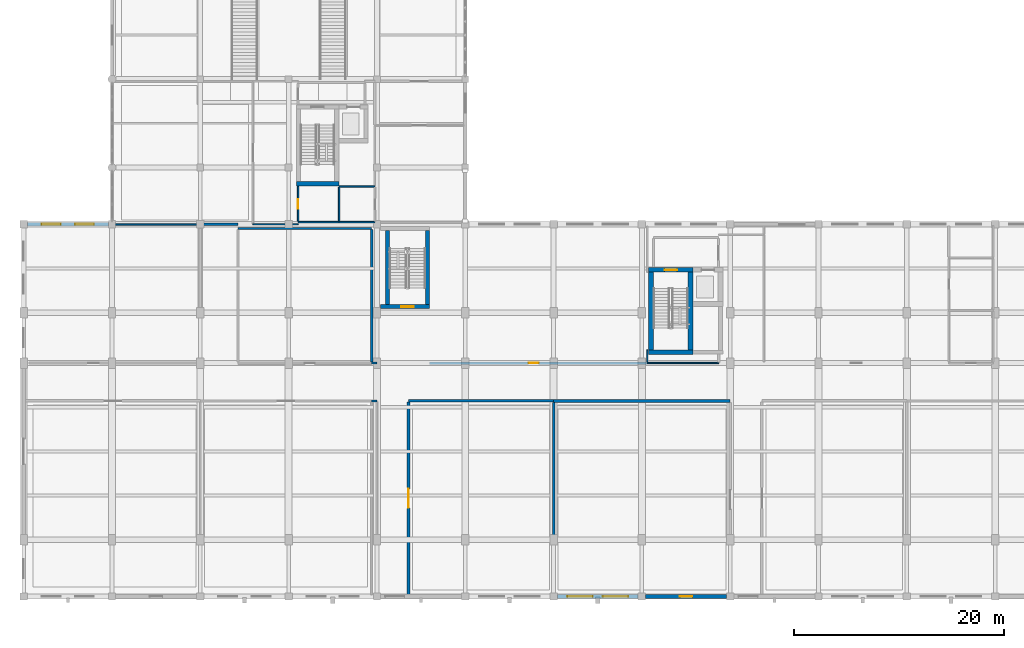
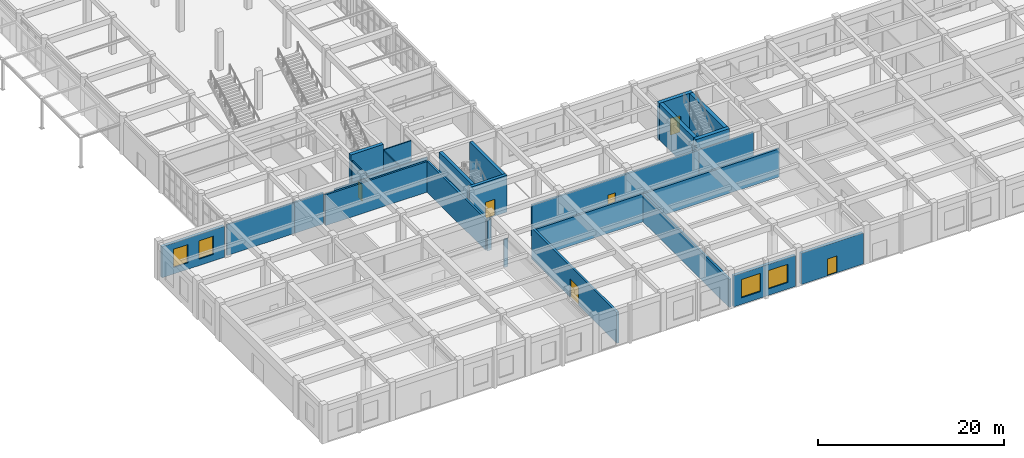
# One storey, part 56 of 80: 30 walls, 6 doors, 4 windows, 10 openings.
"""IFC4 building model written with IfcOpenShell, lengths in metres."""

from ifc_helpers import new_model, si_unit, direction, frame, frame_2d, origin, place, context, subcontext, project, spatial, rectangle, extrude, material, layer, layer_set, type_object, element, fill, save


model = new_model("IFC4")

# Units and contexts
model_context = context("Model", 3, precision=1e-05, world=origin(), true_north=direction((0.0, 1.0)))
body_context = subcontext(model_context, "Body", "Model", "MODEL_VIEW")
ifc_project = project(units=[si_unit("LENGTHUNIT", "METRE"), si_unit("AREAUNIT", "SQUARE_METRE"), si_unit("VOLUMEUNIT", "CUBIC_METRE"), si_unit("PLANEANGLEUNIT", "RADIAN"), si_unit("MASSUNIT", "GRAM", prefix="KILO")], contexts=[model_context])

# Site, building, storey
site_placement = place(None, origin())
site = spatial("IfcSite", under=ifc_project, at=site_placement, CompositionType="ELEMENT")
building_placement = place(site_placement, origin())
building = spatial("IfcBuilding", under=site, at=building_placement, Name="Krzemoval Escarpment Law Courts", CompositionType="ELEMENT")
storey_placement = place(building_placement, origin())
storey = spatial("IfcBuildingStorey", under=building, at=storey_placement, Name="L00", CompositionType="ELEMENT", Elevation=0.0)

# Wall, opening, door
ifc_material_1 = material(Name="Precast concrete C40/50", Category="concrete")
ifc_layer_1 = layer(ifc_material_1, 0.360107421875)
ifc_layer_set_1 = layer_set([ifc_layer_1], Name="Precast concrete C40/50")
wall_type_1 = type_object("IfcWallType", Name="WL-EXT-360", PredefinedType="SOLIDWALL", material=ifc_layer_set_1)
wall_1_placement = place(storey_placement, frame((66.85009765625, 0.0, 0.0), z_axis=(0.0, 0.0, 1.0), x_axis=(-1.0, 0.0, 0.0)))
wall_1 = element("IfcWall", 1, at=wall_1_placement, inside=storey, type_object=wall_type_1, Name="Exterior Wall EW-L00-0139", PredefinedType="SOLIDWALL", context=body_context, shape_type="SweptSolid", body=[
    extrude(rectangle(XDim=7.7001953125, YDim=0.360107421875, at=frame_2d((3.85009765625, 0.0))), origin(), (0.0, 0.0, 1.0), 4.070068359375),
])
opening_1_placement = place(wall_1_placement, frame((3.25, 0.0, 0.0)))
opening_1 = element("IfcOpeningElement", 2, at=opening_1_placement, cuts=wall_1, Name="Opening ED-L00-15", PredefinedType="OPENING", context=body_context, shape_type="SweptSolid", body=[
    extrude(rectangle(XDim=1.199951171875, YDim=2.199951171875, at=frame_2d((0.60009765625, 1.10009765625))), frame((0.0, 0.19505, 0.0), z_axis=(0.0, -1.0, 0.0), x_axis=(1.0, 0.0, 0.0)), (0.0, 0.0, 1.0), 0.39011),
])
ifc_material_2 = material(Name="Galvanised Steel S355", Category="steel")
door_type_1 = type_object("IfcDoorType", Name="DR-EXT-1200x2200", OperationType="SINGLE_SWING_LEFT", PredefinedType="DOOR", material=ifc_material_2)
door_1_placement = place(opening_1_placement, origin())
door_1 = element("IfcDoor", 3, at=door_1_placement, inside=storey, type_object=door_type_1, Name="Ground Entrance Door ED-L00-15", OperationType="SINGLE_SWING_LEFT", OverallHeight=2.199951171875, OverallWidth=1.199951171875, PredefinedType="DOOR", context=body_context, shape_type="SweptSolid", body=[
    extrude(rectangle(XDim=1.199951171875, YDim=2.199951171875, at=frame_2d((0.60009765625, 1.10009765625))), frame((0.0, 0.02490234375, 0.0), z_axis=(0.0, -1.0, 0.0), x_axis=(1.0, 0.0, 0.0)), (0.0, 0.0, 1.0), 0.050048828125),
])
fill(opening_1, door_1)

# Wall, openings, windows
wall_2_placement = place(storey_placement, frame((58.449951171875, 0.0, 0.0), z_axis=(0.0, 0.0, 1.0), x_axis=(-1.0, 0.0, 0.0)))
wall_2 = element("IfcWall", 4, at=wall_2_placement, inside=storey, type_object=wall_type_1, Name="Exterior Wall EW-L00-0140", PredefinedType="SOLIDWALL", context=body_context, shape_type="SweptSolid", body=[
    extrude(rectangle(XDim=7.699951171875, YDim=0.360107421875, at=frame_2d((3.85009765625, 0.0))), origin(), (0.0, 0.0, 1.0), 4.070068359375),
])
opening_2_placement = place(wall_2_placement, frame((0.967041015625, 0.0, 0.85009765625)))
opening_2 = element("IfcOpeningElement", 5, at=opening_2_placement, cuts=wall_2, Name="Opening WN-L00-0094", PredefinedType="OPENING", context=body_context, shape_type="SweptSolid", body=[
    extrude(rectangle(XDim=2.39990234375, YDim=2.39990234375, at=frame_2d((1.199951171875, 1.199951171875))), frame((0.0, 0.19505, 0.0), z_axis=(0.0, -1.0, 0.0), x_axis=(1.0, 0.0, 0.0)), (0.0, 0.0, 1.0), 0.39011),
])
opening_3_placement = place(wall_2_placement, frame((4.3330078125, 0.0, 0.85009765625)))
opening_3 = element("IfcOpeningElement", 6, at=opening_3_placement, cuts=wall_2, Name="Opening WN-L00-0095", PredefinedType="OPENING", context=body_context, shape_type="SweptSolid", body=[
    extrude(rectangle(XDim=2.39990234375, YDim=2.39990234375, at=frame_2d((1.199951171875, 1.199951171875))), frame((0.0, 0.19505, 0.0), z_axis=(0.0, -1.0, 0.0), x_axis=(1.0, 0.0, 0.0)), (0.0, 0.0, 1.0), 0.39011),
])
ifc_material_3 = material(Name="Thermally Broken Aluminium Frame with Triple Low-E Acoustic Glass", Category="aluminium")
window_type_1 = type_object("IfcWindowType", Name="WN-2400x2400", PartitioningType="SINGLE_PANEL", PredefinedType="WINDOW", material=ifc_material_3)
window_1_placement = place(opening_2_placement, origin())
window_1 = element("IfcWindow", 7, at=window_1_placement, inside=storey, type_object=window_type_1, Name="Facade Window WN-L00-0094", OverallHeight=2.39990234375, OverallWidth=2.39990234375, PartitioningType="SINGLE_PANEL", PredefinedType="WINDOW", context=body_context, shape_type="SweptSolid", body=[
    extrude(rectangle(XDim=2.39990234375, YDim=2.39990234375, at=frame_2d((1.199951171875, 1.199951171875))), frame((0.0, 0.030029296875, 0.0), z_axis=(0.0, -1.0, 0.0), x_axis=(1.0, 0.0, 0.0)), (0.0, 0.0, 1.0), 0.06005859375),
])
fill(opening_2, window_1)
window_2_placement = place(opening_3_placement, origin())
window_2 = element("IfcWindow", 8, at=window_2_placement, inside=storey, type_object=window_type_1, Name="Facade Window WN-L00-0095", OverallHeight=2.39990234375, OverallWidth=2.39990234375, PartitioningType="SINGLE_PANEL", PredefinedType="WINDOW", context=body_context, shape_type="SweptSolid", body=[
    extrude(rectangle(XDim=2.39990234375, YDim=2.39990234375, at=frame_2d((1.199951171875, 1.199951171875))), frame((0.0, 0.030029296875, 0.0), z_axis=(0.0, -1.0, 0.0), x_axis=(1.0, 0.0, 0.0)), (0.0, 0.0, 1.0), 0.06005859375),
])
fill(opening_3, window_2)

wall_3_placement = place(storey_placement, frame((0.35009765625, 35.39990234375, 0.0), z_axis=(0.0, 0.0, 1.0), x_axis=(1.0, 0.0, 0.0)))
wall_3 = element("IfcWall", 9, at=wall_3_placement, inside=storey, type_object=wall_type_1, Name="Exterior Wall EW-L00-0151", PredefinedType="SOLIDWALL", context=body_context, shape_type="SweptSolid", body=[
    extrude(rectangle(XDim=7.699951171875, YDim=0.360107421875, at=frame_2d((3.85009765625, 0.0))), origin(), (0.0, 0.0, 1.0), 4.070068359375),
])
opening_4_placement = place(wall_3_placement, frame((1.366943359375, 0.0, 0.85009765625)))
opening_4 = element("IfcOpeningElement", 10, at=opening_4_placement, cuts=wall_3, Name="Opening WN-L00-0108", PredefinedType="OPENING", context=body_context, shape_type="SweptSolid", body=[
    extrude(rectangle(XDim=1.800048828125, YDim=2.39990234375, at=frame_2d((0.89990234375, 1.199951171875))), frame((0.0, 0.19505, 0.0), z_axis=(0.0, -1.0, 0.0), x_axis=(1.0, 0.0, 0.0)), (0.0, 0.0, 1.0), 0.39011),
])
opening_5_placement = place(wall_3_placement, frame((4.532958984375, 0.0, 0.85009765625)))
opening_5 = element("IfcOpeningElement", 11, at=opening_5_placement, cuts=wall_3, Name="Opening WN-L00-0109", PredefinedType="OPENING", context=body_context, shape_type="SweptSolid", body=[
    extrude(rectangle(XDim=1.800048828125, YDim=2.39990234375, at=frame_2d((0.89990234375, 1.199951171875))), frame((0.0, 0.19505, 0.0), z_axis=(0.0, -1.0, 0.0), x_axis=(1.0, 0.0, 0.0)), (0.0, 0.0, 1.0), 0.39011),
])
ifc_material_4 = material(Name="Thermally Broken Aluminium Frame with Triple Low-E Acoustic Glass", Category="aluminium")
window_type_2 = type_object("IfcWindowType", Name="WN-1800x2400", PartitioningType="SINGLE_PANEL", PredefinedType="WINDOW", material=ifc_material_4)
window_3_placement = place(opening_4_placement, origin())
window_3 = element("IfcWindow", 12, at=window_3_placement, inside=storey, type_object=window_type_2, Name="Facade Window WN-L00-0108", OverallHeight=2.39990234375, OverallWidth=1.800048828125, PartitioningType="SINGLE_PANEL", PredefinedType="WINDOW", context=body_context, shape_type="SweptSolid", body=[
    extrude(rectangle(XDim=1.800048828125, YDim=2.39990234375, at=frame_2d((0.89990234375, 1.199951171875))), frame((0.0, 0.030029296875, 0.0), z_axis=(0.0, -1.0, 0.0), x_axis=(1.0, 0.0, 0.0)), (0.0, 0.0, 1.0), 0.06005859375),
])
fill(opening_4, window_3)
window_4_placement = place(opening_5_placement, origin())
window_4 = element("IfcWindow", 13, at=window_4_placement, inside=storey, type_object=window_type_2, Name="Facade Window WN-L00-0109", OverallHeight=2.39990234375, OverallWidth=1.800048828125, PartitioningType="SINGLE_PANEL", PredefinedType="WINDOW", context=body_context, shape_type="SweptSolid", body=[
    extrude(rectangle(XDim=1.800048828125, YDim=2.39990234375, at=frame_2d((0.89990234375, 1.199951171875))), frame((0.0, 0.030029296875, 0.0), z_axis=(0.0, -1.0, 0.0), x_axis=(1.0, 0.0, 0.0)), (0.0, 0.0, 1.0), 0.06005859375),
])
fill(opening_5, window_4)

# Walls
ifc_material_5 = material(Name="Light Internal Subdivision Partition", Category="gypsum")
ifc_layer_2 = layer(ifc_material_5, 0.114990234375)
ifc_layer_set_2 = layer_set([ifc_layer_2], Name="Light Internal Subdivision Partition")
wall_type_2 = type_object("IfcWallType", Name="WL-PRT-115", PredefinedType="PARTITIONING", material=ifc_layer_set_2)
wall_4_placement = place(storey_placement, frame((59.300048828125, 22.199951171875, 0.0), z_axis=(0.0, 0.0, 1.0), x_axis=(1.0, 0.0, 0.0)))
element("IfcWall", 14, at=wall_4_placement, inside=storey, type_object=wall_type_2, Name="Interior Partition PW-L00-0094", PredefinedType="PARTITIONING", context=body_context, shape_type="SweptSolid", body=[
    extrude(rectangle(XDim=6.800048828125, YDim=0.114990234375, at=frame_2d((3.39990234375, 0.0))), origin(), (0.0, 0.0, 1.0), 4.070068359375),
])
ifc_material_6 = material(Name="Standard Metal-Stud Gypsum Partition", Category="gypsum")
ifc_layer_3 = layer(ifc_material_6, 0.125)
ifc_layer_set_3 = layer_set([ifc_layer_3], Name="Standard Metal-Stud Gypsum Partition")
wall_type_3 = type_object("IfcWallType", Name="WL-PRT-125", PredefinedType="PARTITIONING", material=ifc_layer_set_3)
wall_5_placement = place(storey_placement, frame((21.800048828125, 35.39990234375, 0.0), z_axis=(0.0, 0.0, 1.0), x_axis=(1.0, 0.0, 0.0)))
element("IfcWall", 15, at=wall_5_placement, inside=storey, type_object=wall_type_3, Name="Interior Partition PW-L00-0113", PredefinedType="PARTITIONING", context=body_context, shape_type="SweptSolid", body=[
    extrude(rectangle(XDim=4.300048828125, YDim=0.125, at=frame_2d((2.14990234375, 0.0))), origin(), (0.0, 0.0, 1.0), 4.070068359375),
])
wall_6_placement = place(storey_placement, frame((59.300048828125, 22.31689453125, 0.0), z_axis=(0.0, 0.0, 1.0), x_axis=(0.0, 1.0, 0.0)))
element("IfcWall", 16, at=wall_6_placement, inside=storey, type_object=wall_type_3, Name="Interior Partition PW-L00-0173", PredefinedType="PARTITIONING", context=body_context, shape_type="SweptSolid", body=[
    extrude(rectangle(XDim=1.135009765625, YDim=0.125, at=frame_2d((0.5673828125, 0.0))), origin(), (0.0, 0.0, 1.0), 4.070068359375),
])
ifc_material_7 = material(Name="Sanitary Moisture-Resistant Partition", Category="gypsum")
ifc_layer_4 = layer(ifc_material_7, 0.139892578125)
ifc_layer_set_4 = layer_set([ifc_layer_4], Name="Sanitary Moisture-Resistant Partition")
wall_type_4 = type_object("IfcWallType", Name="WL-PRT-140", PredefinedType="PARTITIONING", material=ifc_layer_set_4)
wall_7_placement = place(storey_placement, frame((26.10009765625, 35.60009765625, 0.0), z_axis=(0.0, 0.0, 1.0), x_axis=(1.0, 0.0, 0.0)))
element("IfcWall", 17, at=wall_7_placement, inside=storey, type_object=wall_type_4, Name="Interior Partition PW-L00-0116", PredefinedType="PARTITIONING", context=body_context, shape_type="SweptSolid", body=[
    extrude(rectangle(XDim=3.89990234375, YDim=0.139892578125, at=frame_2d((1.949951171875, 0.0))), origin(), (0.0, 0.0, 1.0), 4.070068359375),
])
wall_8_placement = place(storey_placement, frame((30.0, 35.60009765625, 0.0), z_axis=(0.0, 0.0, 1.0), x_axis=(1.0, 0.0, 0.0)))
element("IfcWall", 18, at=wall_8_placement, inside=storey, type_object=wall_type_4, Name="Interior Partition PW-L00-0117", PredefinedType="PARTITIONING", context=body_context, shape_type="SweptSolid", body=[
    extrude(rectangle(XDim=3.39990234375, YDim=0.139892578125, at=frame_2d((1.699951171875, 0.0))), origin(), (0.0, 0.0, 1.0), 4.070068359375),
])
wall_9_placement = place(storey_placement, frame((30.0, 39.0, 0.0), z_axis=(0.0, 0.0, 1.0), x_axis=(1.0, 0.0, 0.0)))
element("IfcWall", 19, at=wall_9_placement, inside=storey, type_object=wall_type_4, Name="Interior Partition PW-L00-0119", PredefinedType="PARTITIONING", context=body_context, shape_type="SweptSolid", body=[
    extrude(rectangle(XDim=3.39990234375, YDim=0.139892578125, at=frame_2d((1.699951171875, 0.0))), origin(), (0.0, 0.0, 1.0), 4.169921875),
])

# Wall, opening, door
wall_10_placement = place(storey_placement, frame((26.10009765625, 35.672119140625, 0.0), z_axis=(0.0, 0.0, 1.0), x_axis=(0.0, 1.0, 0.0)))
wall_10 = element("IfcWall", 20, at=wall_10_placement, inside=storey, type_object=wall_type_4, Name="Interior Partition PW-L00-0160", PredefinedType="PARTITIONING", context=body_context, shape_type="SweptSolid", body=[
    extrude(rectangle(XDim=3.327880859375, YDim=0.139892578125, at=frame_2d((1.6640625, 0.0))), origin(), (0.0, 0.0, 1.0), 4.070068359375),
])
opening_6_placement = place(wall_10_placement, frame((1.214111328125, 0.0, 0.0)))
opening_6 = element("IfcOpeningElement", 21, at=opening_6_placement, cuts=wall_10, Name="Opening D-L00-0061", PredefinedType="OPENING", context=body_context, shape_type="SweptSolid", body=[
    extrude(rectangle(XDim=0.89990234375, YDim=2.10009765625, at=frame_2d((0.449951171875, 1.050048828125))), frame((0.0, 0.08495, 0.0), z_axis=(0.0, -1.0, 0.0), x_axis=(1.0, 0.0, 0.0)), (0.0, 0.0, 1.0), 0.16989),
])
ifc_material_8 = material(Name="Engineered Solid-Core Oak Acoustic Timber", Category="wood")
door_type_2 = type_object("IfcDoorType", Name="DR-INT-900x2100", OperationType="SINGLE_SWING_LEFT", PredefinedType="DOOR", material=ifc_material_8)
door_2_placement = place(opening_6_placement, origin())
door_2 = element("IfcDoor", 22, at=door_2_placement, inside=storey, type_object=door_type_2, Name="Room Door D-L00-0061", OperationType="SINGLE_SWING_RIGHT", OverallHeight=2.10009765625, OverallWidth=0.89990234375, PredefinedType="DOOR", context=body_context, shape_type="SweptSolid", body=[
    extrude(rectangle(XDim=0.89990234375, YDim=2.10009765625, at=frame_2d((0.449951171875, 1.050048828125))), frame((0.0, 0.02490234375, 0.0), z_axis=(0.0, -1.0, 0.0), x_axis=(1.0, 0.0, 0.0)), (0.0, 0.0, 1.0), 0.050048828125),
])
fill(opening_6, door_2)

# Walls
wall_11_placement = place(storey_placement, frame((30.0, 35.672119140625, 0.0), z_axis=(0.0, 0.0, 1.0), x_axis=(0.0, 1.0, 0.0)))
element("IfcWall", 23, at=wall_11_placement, inside=storey, type_object=wall_type_4, Name="Interior Partition PW-L00-0161", PredefinedType="PARTITIONING", context=body_context, shape_type="SweptSolid", body=[
    extrude(rectangle(XDim=3.255859375, YDim=0.139892578125, at=frame_2d((1.6279296875, 0.0))), origin(), (0.0, 0.0, 1.0), 4.070068359375),
])
ifc_material_9 = material(Name="Office Acoustic Partition Wall", Category="gypsum")
ifc_layer_5 = layer(ifc_material_9, 0.14990234375)
ifc_layer_set_5 = layer_set([ifc_layer_5], Name="Office Acoustic Partition Wall")
wall_type_5 = type_object("IfcWallType", Name="WL-PRT-150", PredefinedType="PARTITIONING", material=ifc_layer_set_5)
wall_12_placement = place(storey_placement, frame((8.425048828125, 35.39990234375, 0.0), z_axis=(0.0, 0.0, 1.0), x_axis=(1.0, 0.0, 0.0)))
element("IfcWall", 24, at=wall_12_placement, inside=storey, type_object=wall_type_5, Name="Interior Partition PW-L00-0112", PredefinedType="PARTITIONING", context=body_context, shape_type="SweptSolid", body=[
    extrude(rectangle(XDim=8.375, YDim=0.14990234375, at=frame_2d((4.1875, 0.0))), origin(), (0.0, 0.0, 1.0), 4.070068359375),
])
ifc_material_10 = material(Name="Jury Suite Partition Assembly", Category="gypsum")
ifc_layer_6 = layer(ifc_material_10, 0.159912109375)
ifc_layer_set_6 = layer_set([ifc_layer_6], Name="Jury Suite Partition Assembly")
wall_type_6 = type_object("IfcWallType", Name="WL-PRT-160", PredefinedType="PARTITIONING", material=ifc_layer_set_6)
wall_13_placement = place(storey_placement, frame((33.10009765625, 18.60009765625, 0.0), z_axis=(0.0, 0.0, 1.0), x_axis=(1.0, 0.0, 0.0)))
element("IfcWall", 25, at=wall_13_placement, inside=storey, type_object=wall_type_6, Name="Interior Partition PW-L00-0083", PredefinedType="PARTITIONING", context=body_context, shape_type="SweptSolid", body=[
    extrude(rectangle(XDim=0.5, YDim=0.159912109375, at=frame_2d((0.25, 0.0))), origin(), (0.0, 0.0, 1.0), 3.669921875),
])
ifc_material_11 = material(Name="Solid Calcium-Silicate Custody Blockwork Partition", Category="masonry")
ifc_layer_7 = layer(ifc_material_11, 0.219970703125)
ifc_layer_set_7 = layer_set([ifc_layer_7], Name="Solid Calcium-Silicate Custody Blockwork Partition")
wall_type_7 = type_object("IfcWallType", Name="WL-PRT-220", PredefinedType="PARTITIONING", material=ifc_layer_set_7)
wall_14_placement = place(storey_placement, frame((33.10009765625, 22.199951171875, 0.0), z_axis=(0.0, 0.0, 1.0), x_axis=(1.0, 0.0, 0.0)))
element("IfcWall", 26, at=wall_14_placement, inside=storey, type_object=wall_type_7, Name="Interior Partition PW-L00-0091", PredefinedType="PARTITIONING", context=body_context, shape_type="SweptSolid", body=[
    extrude(rectangle(XDim=0.5, YDim=0.219970703125, at=frame_2d((0.25, 0.0))), origin(), (0.0, 0.0, 1.0), 4.070068359375),
])
wall_15_placement = place(storey_placement, frame((20.39990234375, 35.0, 0.0), z_axis=(0.0, 0.0, 1.0), x_axis=(1.0, 0.0, 0.0)))
element("IfcWall", 27, at=wall_15_placement, inside=storey, type_object=wall_type_7, Name="Interior Partition PW-L00-0110", PredefinedType="PARTITIONING", context=body_context, shape_type="SweptSolid", body=[
    extrude(rectangle(XDim=12.7001953125, YDim=0.219970703125, at=frame_2d((6.35009765625, 0.0))), origin(), (0.0, 0.0, 1.0), 4.02001953125),
])
wall_16_placement = place(storey_placement, frame((16.800048828125, 35.39990234375, 0.0), z_axis=(0.0, 0.0, 1.0), x_axis=(1.0, 0.0, 0.0)))
element("IfcWall", 28, at=wall_16_placement, inside=storey, type_object=wall_type_7, Name="Interior Partition PW-L00-0111", PredefinedType="PARTITIONING", context=body_context, shape_type="SweptSolid", body=[
    extrude(rectangle(XDim=3.599853515625, YDim=0.219970703125, at=frame_2d((1.7998046875, 0.0))), origin(), (0.0, 0.0, 1.0), 4.070068359375),
])

# Wall, opening, door
ifc_material_12 = material(Name="Acoustic Calcium-Silicate Block Wall", Category="masonry")
ifc_layer_8 = layer(ifc_material_12, 0.22998046875)
ifc_layer_set_8 = layer_set([ifc_layer_8], Name="Acoustic Calcium-Silicate Block Wall")
wall_type_8 = type_object("IfcWallType", Name="WL-PRT-230", PredefinedType="SOLIDWALL", material=ifc_layer_set_8)
wall_17_placement = place(storey_placement, frame((38.60009765625, 22.199951171875, 0.0), z_axis=(0.0, 0.0, 1.0), x_axis=(1.0, 0.0, 0.0)))
wall_17 = element("IfcWall", 29, at=wall_17_placement, inside=storey, type_object=wall_type_8, Name="Interior Partition PW-L00-0095", PredefinedType="SOLIDWALL", context=body_context, shape_type="SweptSolid", body=[
    extrude(rectangle(XDim=20.699951171875, YDim=0.22998046875, at=frame_2d((10.35009765625, 0.0))), origin(), (0.0, 0.0, 1.0), 4.070068359375),
])
opening_7_placement = place(wall_17_placement, frame((9.425048828125, 0.0, 0.0)))
opening_7 = element("IfcOpeningElement", 30, at=opening_7_placement, cuts=wall_17, Name="Opening D-L00-0049", PredefinedType="OPENING", context=body_context, shape_type="SweptSolid", body=[
    extrude(rectangle(XDim=0.949951171875, YDim=2.10009765625, at=frame_2d((0.47509765625, 1.050048828125))), frame((0.0, 0.12999, 0.0), z_axis=(0.0, -1.0, 0.0), x_axis=(1.0, 0.0, 0.0)), (0.0, 0.0, 1.0), 0.25998),
])
ifc_material_13 = material(Name="Engineered Solid-Core Oak Acoustic Timber", Category="wood")
door_type_3 = type_object("IfcDoorType", Name="DR-INT-950x2100", OperationType="SINGLE_SWING_LEFT", PredefinedType="DOOR", material=ifc_material_13)
door_3_placement = place(opening_7_placement, origin())
door_3 = element("IfcDoor", 31, at=door_3_placement, inside=storey, type_object=door_type_3, Name="Room Door D-L00-0049", OperationType="SINGLE_SWING_LEFT", OverallHeight=2.10009765625, OverallWidth=0.949951171875, PredefinedType="DOOR", context=body_context, shape_type="SweptSolid", body=[
    extrude(rectangle(XDim=0.949951171875, YDim=2.10009765625, at=frame_2d((0.47509765625, 1.050048828125))), frame((0.0, 0.02490234375, 0.0), z_axis=(0.0, -1.0, 0.0), x_axis=(1.0, 0.0, 0.0)), (0.0, 0.0, 1.0), 0.050048828125),
])
fill(opening_7, door_3)

# Walls
ifc_material_14 = material(Name="Acoustic Courtroom Partition Assembly", Category="gypsum")
ifc_layer_9 = layer(ifc_material_14, 0.239990234375)
ifc_layer_set_9 = layer_set([ifc_layer_9], Name="Acoustic Courtroom Partition Assembly")
wall_type_9 = type_object("IfcWallType", Name="WL-PRT-240", PredefinedType="PARTITIONING", material=ifc_layer_set_9)
wall_18_placement = place(storey_placement, frame((36.60009765625, 18.60009765625, 0.0), z_axis=(0.0, 0.0, 1.0), x_axis=(1.0, 0.0, 0.0)))
element("IfcWall", 32, at=wall_18_placement, inside=storey, type_object=wall_type_9, Name="Interior Partition PW-L00-0084", PredefinedType="PARTITIONING", context=body_context, shape_type="SweptSolid", body=[
    extrude(rectangle(XDim=13.7998046875, YDim=0.239990234375, at=frame_2d((6.89990234375, 0.0))), origin(), (0.0, 0.0, 1.0), 3.669921875),
])
wall_19_placement = place(storey_placement, frame((33.10009765625, 22.31201171875, 0.0), z_axis=(0.0, 0.0, 1.0), x_axis=(0.0, 1.0, 0.0)))
element("IfcWall", 33, at=wall_19_placement, inside=storey, type_object=wall_type_9, Name="Interior Partition PW-L00-0164", PredefinedType="PARTITIONING", context=body_context, shape_type="SweptSolid", body=[
    extrude(rectangle(XDim=12.575927734375, YDim=0.239990234375, at=frame_2d((6.2880859375, 0.0))), origin(), (0.0, 0.0, 1.0), 4.070068359375),
])
wall_20_placement = place(storey_placement, frame((50.39990234375, -0.028076171875, 0.0), z_axis=(0.0, 0.0, 1.0), x_axis=(0.0, 1.0, 0.0)))
element("IfcWall", 34, at=wall_20_placement, inside=storey, type_object=wall_type_9, Name="Interior Partition PW-L00-0172", PredefinedType="PARTITIONING", context=body_context, shape_type="SweptSolid", body=[
    extrude(rectangle(XDim=18.49609375, YDim=0.239990234375, at=frame_2d((9.248046875, 0.0))), origin(), (0.0, 0.0, 1.0), 3.669921875),
])
ifc_material_15 = material(Name="Acoustic Double-Stud Gypsum and Mineral Wool Wall", Category="gypsum")
ifc_layer_10 = layer(ifc_material_15, 0.260009765625)
ifc_layer_set_10 = layer_set([ifc_layer_10], Name="Acoustic Double-Stud Gypsum and Mineral Wool Wall")
wall_type_10 = type_object("IfcWallType", Name="WL-PRT-260", PredefinedType="PARTITIONING", material=ifc_layer_set_10)
wall_21_placement = place(storey_placement, frame((50.39990234375, 18.60009765625, 0.0), z_axis=(0.0, 0.0, 1.0), x_axis=(1.0, 0.0, 0.0)))
element("IfcWall", 35, at=wall_21_placement, inside=storey, type_object=wall_type_10, Name="Interior Partition PW-L00-0085", PredefinedType="PARTITIONING", context=body_context, shape_type="SweptSolid", body=[
    extrude(rectangle(XDim=16.800048828125, YDim=0.260009765625, at=frame_2d((8.39990234375, 0.0))), origin(), (0.0, 0.0, 1.0), 3.669921875),
])

# Wall, opening, door
wall_22_placement = place(storey_placement, frame((36.60009765625, 0.181884765625, 0.0), z_axis=(0.0, 0.0, 1.0), x_axis=(0.0, 1.0, 0.0)))
wall_22 = element("IfcWall", 36, at=wall_22_placement, inside=storey, type_object=wall_type_10, Name="Interior Partition PW-L00-0169", PredefinedType="PARTITIONING", context=body_context, shape_type="SweptSolid", body=[
    extrude(rectangle(XDim=18.296142578125, YDim=0.260009765625, at=frame_2d((9.14794921875, 0.0))), origin(), (0.0, 0.0, 1.0), 4.070068359375),
])
opening_8_placement = place(wall_22_placement, frame((8.248046875, 0.0, 0.0)))
opening_8 = element("IfcOpeningElement", 37, at=opening_8_placement, cuts=wall_22, Name="Opening D-L00-0045", PredefinedType="OPENING", context=body_context, shape_type="SweptSolid", body=[
    extrude(rectangle(XDim=1.800048828125, YDim=2.39990234375, at=frame_2d((0.89990234375, 1.199951171875))), frame((0.0, 0.145, 0.0), z_axis=(0.0, -1.0, 0.0), x_axis=(1.0, 0.0, 0.0)), (0.0, 0.0, 1.0), 0.29001),
])
ifc_material_16 = material(Name="Engineered Solid-Core Oak Acoustic Timber", Category="wood")
door_type_4 = type_object("IfcDoorType", Name="DR-CRT-1800x2400", OperationType="SINGLE_SWING_LEFT", PredefinedType="DOOR", material=ifc_material_16)
door_4_placement = place(opening_8_placement, origin())
door_4 = element("IfcDoor", 38, at=door_4_placement, inside=storey, type_object=door_type_4, Name="Room Door D-L00-0045", OperationType="SINGLE_SWING_LEFT", OverallHeight=2.39990234375, OverallWidth=1.800048828125, PredefinedType="DOOR", context=body_context, shape_type="SweptSolid", body=[
    extrude(rectangle(XDim=1.800048828125, YDim=2.39990234375, at=frame_2d((0.89990234375, 1.199951171875))), frame((0.0, 0.02490234375, 0.0), z_axis=(0.0, -1.0, 0.0), x_axis=(1.0, 0.0, 0.0)), (0.0, 0.0, 1.0), 0.050048828125),
])
fill(opening_8, door_4)

ifc_material_17 = material(Name="Concrete C40/50", Category="concrete")
ifc_layer_11 = layer(ifc_material_17, 0.3798828125)
ifc_layer_set_11 = layer_set([ifc_layer_11], Name="Concrete C40/50")
wall_type_11 = type_object("IfcWallType", Name="WL-SHW-380", PredefinedType="SHEAR", material=ifc_layer_set_11)
wall_23_placement = place(storey_placement, frame((33.94091796875, 27.56005859375, 0.0), z_axis=(0.0, 0.0, 1.0), x_axis=(1.0, 0.0, 0.0)))
wall_23 = element("IfcWall", 39, at=wall_23_placement, inside=storey, type_object=wall_type_11, Name="Core Stair Shear Wall SW-L00-0600", PredefinedType="SHEAR", context=body_context, shape_type="SweptSolid", body=[
    extrude(rectangle(XDim=4.63916015625, YDim=0.3798828125, at=frame_2d((2.319580078125, 0.0))), origin(), (0.0, 0.0, 1.0), 4.820068359375),
])
opening_9_placement = place(wall_23_placement, frame((1.958984375, 0.0, 0.0)))
opening_9 = element("IfcOpeningElement", 40, at=opening_9_placement, cuts=wall_23, Name="Opening SD-ST9-L00", PredefinedType="OPENING", context=body_context, shape_type="SweptSolid", body=[
    extrude(rectangle(XDim=1.199951171875, YDim=2.199951171875, at=frame_2d((0.60009765625, 1.10009765625))), frame((0.0, 0.20494, 0.0), z_axis=(0.0, -1.0, 0.0), x_axis=(1.0, 0.0, 0.0)), (0.0, 0.0, 1.0), 0.40988),
])
ifc_material_18 = material(Name="Galvanised Steel S355", Category="steel")
door_type_5 = type_object("IfcDoorType", Name="DR-STR-1200x2200", OperationType="SINGLE_SWING_LEFT", PredefinedType="DOOR", material=ifc_material_18)
door_5_placement = place(opening_9_placement, origin())
door_5 = element("IfcDoor", 41, at=door_5_placement, inside=storey, type_object=door_type_5, Name="Stair Exit Door SD-ST9-L00", OperationType="SINGLE_SWING_LEFT", OverallHeight=2.199951171875, OverallWidth=1.199951171875, PredefinedType="DOOR", context=body_context, shape_type="SweptSolid", body=[
    extrude(rectangle(XDim=1.199951171875, YDim=2.199951171875, at=frame_2d((0.60009765625, 1.10009765625))), frame((0.0, 0.02490234375, 0.0), z_axis=(0.0, -1.0, 0.0), x_axis=(1.0, 0.0, 0.0)), (0.0, 0.0, 1.0), 0.050048828125),
])
fill(opening_9, door_5)

# Walls
for number, where, z_axis, x_axis, name in (
    (42, (34.610107421875, 27.751953125, 0.0), (0.0, 0.0, 1.0), (0.0, 1.0, 0.0), "Core Stair Shear Wall SW-L00-0601"),
    (43, (38.389892578125, 27.751953125, 0.0), (0.0, 0.0, 1.0), (0.0, 1.0, 0.0), "Core Stair Shear Wall SW-L00-0602"),
):
    element("IfcWall", number, at=place(storey_placement, frame(where, z_axis=z_axis, x_axis=x_axis)), inside=storey, type_object=wall_type_11, Name=name, PredefinedType="SHEAR", context=body_context, shape_type="SweptSolid", body=[
        extrude(rectangle(XDim=7.046142578125, YDim=0.3798828125, at=frame_2d((3.52294921875, 0.0))), origin(), (0.0, 0.0, 1.0), 4.820068359375),
    ])
ifc_material_19 = material(Name="Concrete C40/50", Category="concrete")
ifc_layer_12 = layer(ifc_material_19, 0.419921875)
ifc_layer_set_12 = layer_set([ifc_layer_12], Name="Concrete C40/50")
wall_type_12 = type_object("IfcWallType", Name="WL-SHW-420", PredefinedType="SHEAR", material=ifc_layer_set_12)
wall_24_placement = place(storey_placement, frame((25.929931640625, 39.239990234375, 0.0), z_axis=(0.0, 0.0, 1.0), x_axis=(1.0, 0.0, 0.0)))
element("IfcWall", 44, at=wall_24_placement, inside=storey, type_object=wall_type_12, Name="Core Stair Shear Wall SW-L00-0513", PredefinedType="SHEAR", context=body_context, shape_type="SweptSolid", body=[
    extrude(rectangle(XDim=4.0400390625, YDim=0.419921875, at=frame_2d((2.02001953125, 0.0))), origin(), (0.0, 0.0, 1.0), 4.820068359375),
])

# Wall, opening, door
ifc_material_20 = material(Name="Concrete C40/50", Category="concrete")
ifc_layer_13 = layer(ifc_material_20, 0.449951171875)
ifc_layer_set_13 = layer_set([ifc_layer_13], Name="Concrete C40/50")
wall_type_13 = type_object("IfcWallType", Name="WL-SHW-450", PredefinedType="SHEAR", material=ifc_layer_set_13)
wall_25_placement = place(storey_placement, frame((59.449951171875, 31.074951171875, 0.0), z_axis=(0.0, 0.0, 1.0), x_axis=(1.0, 0.0, 0.0)))
wall_25 = element("IfcWall", 45, at=wall_25_placement, inside=storey, type_object=wall_type_13, Name="Core Stair Shear Wall SW-L00-0460", PredefinedType="SHEAR", context=body_context, shape_type="SweptSolid", body=[
    extrude(rectangle(XDim=4.199951171875, YDim=0.449951171875, at=frame_2d((2.10009765625, 0.0))), origin(), (0.0, 0.0, 1.0), 4.820068359375),
])
opening_10_placement = place(wall_25_placement, frame((1.5, 0.0, 0.0)))
opening_10 = element("IfcOpeningElement", 46, at=opening_10_placement, cuts=wall_25, Name="Opening SD-ST4-L00", PredefinedType="OPENING", context=body_context, shape_type="SweptSolid", body=[
    extrude(rectangle(XDim=1.199951171875, YDim=2.199951171875, at=frame_2d((0.60009765625, 1.10009765625))), frame((0.0, 0.23998, 0.0), z_axis=(0.0, -1.0, 0.0), x_axis=(1.0, 0.0, 0.0)), (0.0, 0.0, 1.0), 0.47995),
])
door_6_placement = place(opening_10_placement, origin())
door_6 = element("IfcDoor", 47, at=door_6_placement, inside=storey, type_object=door_type_5, Name="Stair Exit Door SD-ST4-L00", OperationType="SINGLE_SWING_LEFT", OverallHeight=2.199951171875, OverallWidth=1.199951171875, PredefinedType="DOOR", context=body_context, shape_type="SweptSolid", body=[
    extrude(rectangle(XDim=1.199951171875, YDim=2.199951171875, at=frame_2d((0.60009765625, 1.10009765625))), frame((0.0, 0.02490234375, 0.0), z_axis=(0.0, -1.0, 0.0), x_axis=(1.0, 0.0, 0.0)), (0.0, 0.0, 1.0), 0.050048828125),
])
fill(opening_10, door_6)

# Walls
wall_26_placement = place(storey_placement, frame((59.449951171875, 23.22509765625, 0.0), z_axis=(0.0, 0.0, 1.0), x_axis=(1.0, 0.0, 0.0)))
element("IfcWall", 48, at=wall_26_placement, inside=storey, type_object=wall_type_13, Name="Core Stair Shear Wall SW-L00-0461", PredefinedType="SHEAR", context=body_context, shape_type="SweptSolid", body=[
    extrude(rectangle(XDim=4.199951171875, YDim=0.449951171875, at=frame_2d((2.10009765625, 0.0))), origin(), (0.0, 0.0, 1.0), 4.820068359375),
])
for number, where, z_axis, x_axis, name in (
    (49, (59.675048828125, 23.451904296875, 0.0), (0.0, 0.0, 1.0), (0.0, 1.0, 0.0), "Core Stair Shear Wall SW-L00-0462"),
    (50, (63.425048828125, 23.451904296875, 0.0), (0.0, 0.0, 1.0), (0.0, 1.0, 0.0), "Core Stair Shear Wall SW-L00-0463"),
):
    element("IfcWall", number, at=place(storey_placement, frame(where, z_axis=z_axis, x_axis=x_axis)), inside=storey, type_object=wall_type_13, Name=name, PredefinedType="SHEAR", context=body_context, shape_type="SweptSolid", body=[
        extrude(rectangle(XDim=7.39599609375, YDim=0.449951171875, at=frame_2d((3.697998046875, 0.0))), origin(), (0.0, 0.0, 1.0), 4.820068359375),
    ])

save(model, "model.ifc")
